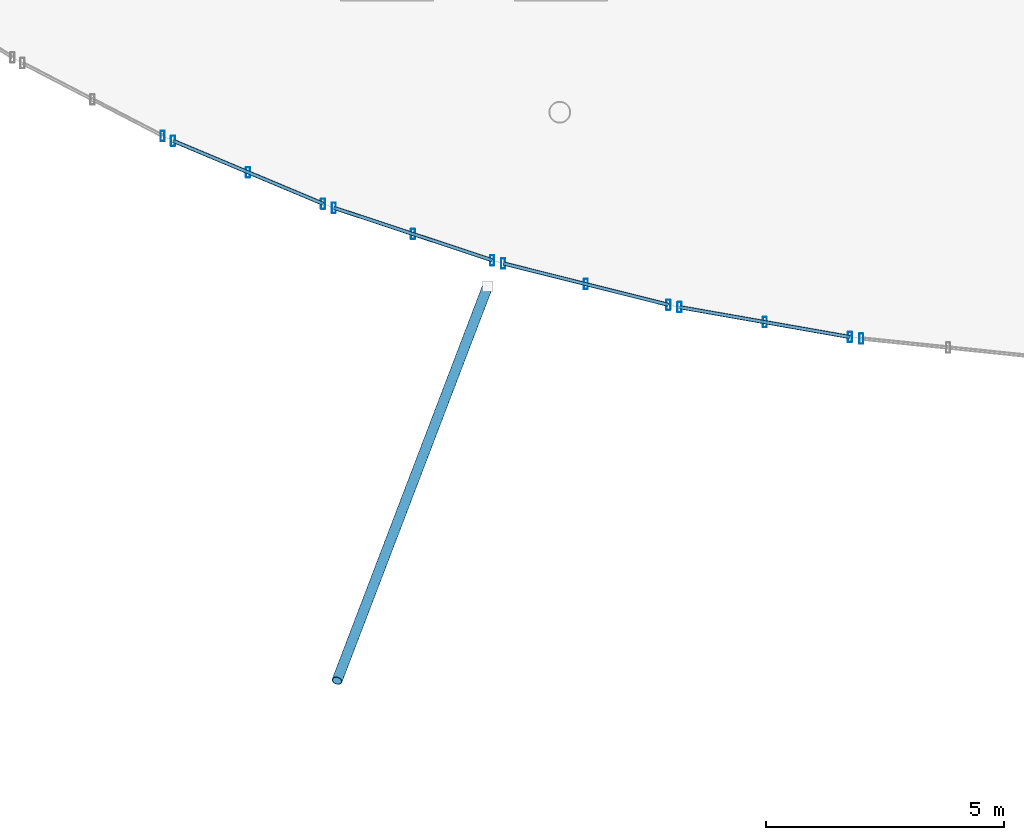
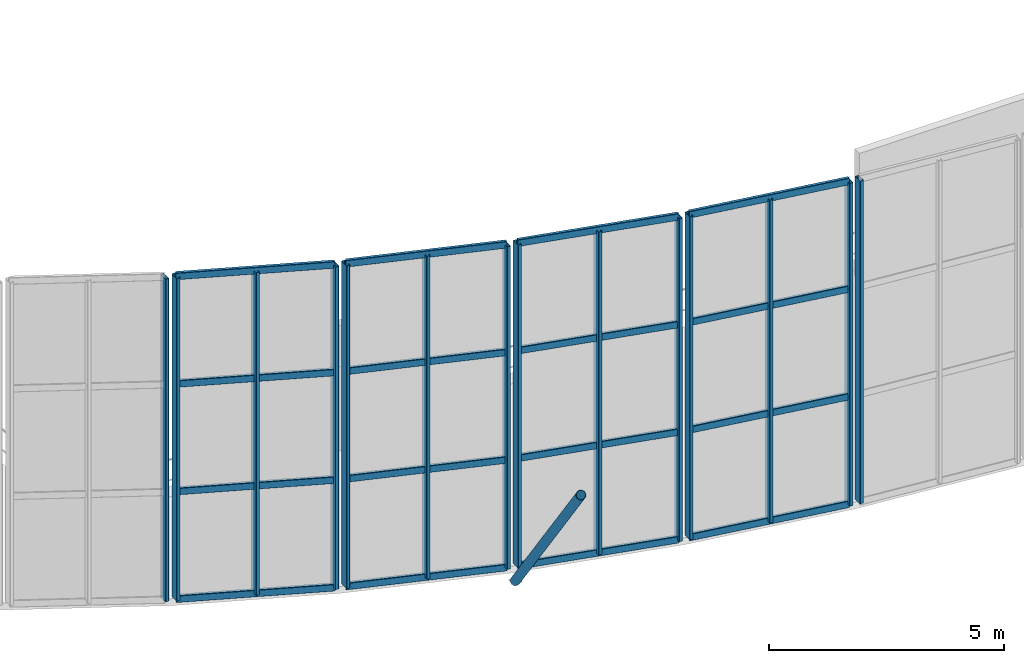
# One storey, part 21 of 109: 31 members, 6 elements without a shape of their own.
"""IFC4 building model written with IfcOpenShell, lengths in metres."""

from ifc_helpers import new_model, si_unit, derived_unit, direction, frame, origin, origin_2d, place, context, subcontext, project, spatial, hollow_rectangle, hollow_circle, extrude, material, material_profile, profile_set, type_object, element, aggregate, save


model = new_model("IFC4")

# Units and contexts
model_context = context("Model", 3, precision=1e-05, world=origin(), true_north=direction((0.0, 1.0)))
body_context = subcontext(model_context, "Body", "Model", "MODEL_VIEW")
ifc_project = project(units=[si_unit("LENGTHUNIT", "METRE"), si_unit("AREAUNIT", "SQUARE_METRE"), si_unit("VOLUMEUNIT", "CUBIC_METRE"), si_unit("PLANEANGLEUNIT", "RADIAN"), si_unit("MASSUNIT", "GRAM", prefix="KILO"), derived_unit("THERMALTRANSMITTANCEUNIT", [(si_unit("MASSUNIT", "GRAM", prefix="KILO"), 1), (si_unit("TIMEUNIT", "SECOND"), -3), (si_unit("THERMODYNAMICTEMPERATUREUNIT", "KELVIN"), -1)])], contexts=[model_context])

# Site, building, storey
site_placement = place(None, origin())
site = spatial("IfcSite", under=ifc_project, at=site_placement, CompositionType="ELEMENT")
building_placement = place(site_placement, origin())
building = spatial("IfcBuilding", under=site, at=building_placement, Name="Kharveza Railside Sports Centre", CompositionType="ELEMENT")
storey_placement = place(building_placement, frame((0.0, 0.0, 4.5)))
storey = spatial("IfcBuildingStorey", under=building, at=storey_placement, Name="L01", CompositionType="ELEMENT", Elevation=4.5)

# Curtain wall, member
ifc_material_1 = material(Name="Low-E solar-control laminated glass", Category="glass")
curtain_wall_type = type_object("IfcCurtainWallType", Name="CW-DR01", PredefinedType="NOTDEFINED", material=ifc_material_1)
curtain_wall_1_placement = place(storey_placement, origin())
curtain_wall_1 = element("IfcCurtainWall", 1, at=curtain_wall_1_placement, inside=storey, type_object=curtain_wall_type, Name="CW-DRUM-42", PredefinedType="NOTDEFINED")
ifc_material_2 = material(Name="Anodised aluminium 6063-T6", Category="aluminium")
ifc_material_profile_1 = material_profile(ifc_material_2, hollow_rectangle(XDim=0.090087890625, YDim=0.219970703125, WallThickness=0.008056640625, InnerFilletRadius=0.008056640625, OuterFilletRadius=0.01611328125, at=origin_2d()), Name="RHS 90x220x8.0")
ifc_profile_set_1 = profile_set([ifc_material_profile_1], Name="Anodised aluminium 6063-T6")
member_type_1 = type_object("IfcMemberType", Name="CW-ML01", PredefinedType="MULLION", material=ifc_profile_set_1)
member_1_placement = place(storey_placement, frame((32.270751953125, 27.174072265625, 0.0), z_axis=(0.0, 0.0, 1.0), x_axis=(1.0, 0.0, 0.0)))
member_1 = element("IfcMember", 2, at=member_1_placement, type_object=member_type_1, Name="CW-DRUM-42-ML3", PredefinedType="MULLION", context=body_context, shape_type="SweptSolid", body=[
    extrude(hollow_rectangle(XDim=0.090087890625, YDim=0.219970703125, WallThickness=0.008056640625, InnerFilletRadius=0.008056640625, OuterFilletRadius=0.01611328125, at=origin_2d()), origin(), (0.0, 0.0, 1.0), 8.39990234375),
])
aggregate(curtain_wall_1, [member_1])

# Curtain wall, members
curtain_wall_2_placement = place(storey_placement, origin())
curtain_wall_2 = element("IfcCurtainWall", 3, at=curtain_wall_2_placement, inside=storey, type_object=curtain_wall_type, Name="CW-DRUM-43", PredefinedType="NOTDEFINED")
member_2_placement = place(storey_placement, frame((32.48779296875, 27.072509765625, 0.0), z_axis=(0.0, 0.0, 1.0), x_axis=(1.0, 0.0, 0.0)))
member_2 = element("IfcMember", 4, at=member_2_placement, type_object=member_type_1, Name="CW-DRUM-43-ML1", PredefinedType="MULLION", context=body_context, shape_type="SweptSolid", body=[
    extrude(hollow_rectangle(XDim=0.090087890625, YDim=0.219970703125, WallThickness=0.008056640625, InnerFilletRadius=0.008056640625, OuterFilletRadius=0.01611328125, at=origin_2d()), origin(), (0.0, 0.0, 1.0), 8.39990234375),
])
member_3_placement = place(storey_placement, frame((34.060791015625, 26.41259765625, 0.0), z_axis=(0.0, 0.0, 1.0), x_axis=(1.0, 0.0, 0.0)))
member_3 = element("IfcMember", 5, at=member_3_placement, type_object=member_type_1, Name="CW-DRUM-43-ML2", PredefinedType="MULLION", context=body_context, shape_type="SweptSolid", body=[
    extrude(hollow_rectangle(XDim=0.090087890625, YDim=0.219970703125, WallThickness=0.008056640625, InnerFilletRadius=0.008056640625, OuterFilletRadius=0.01611328125, at=origin_2d()), origin(), (0.0, 0.0, 1.0), 8.39990234375),
])
member_4_placement = place(storey_placement, frame((35.633544921875, 25.752685546875, 0.0), z_axis=(0.0, 0.0, 1.0), x_axis=(1.0, 0.0, 0.0)))
member_4 = element("IfcMember", 6, at=member_4_placement, type_object=member_type_1, Name="CW-DRUM-43-ML3", PredefinedType="MULLION", context=body_context, shape_type="SweptSolid", body=[
    extrude(hollow_rectangle(XDim=0.090087890625, YDim=0.219970703125, WallThickness=0.008056640625, InnerFilletRadius=0.008056640625, OuterFilletRadius=0.01611328125, at=origin_2d()), origin(), (0.0, 0.0, 1.0), 8.39990234375),
])

curtain_wall_3_placement = place(storey_placement, origin())
curtain_wall_3 = element("IfcCurtainWall", 7, at=curtain_wall_3_placement, inside=storey, type_object=curtain_wall_type, Name="CW-DRUM-44", PredefinedType="NOTDEFINED")
member_5_placement = place(storey_placement, frame((35.85791015625, 25.66845703125, 0.0), z_axis=(0.0, 0.0, 1.0), x_axis=(1.0, 0.0, 0.0)))
member_5 = element("IfcMember", 8, at=member_5_placement, type_object=member_type_1, Name="CW-DRUM-44-ML1", PredefinedType="MULLION", context=body_context, shape_type="SweptSolid", body=[
    extrude(hollow_rectangle(XDim=0.090087890625, YDim=0.219970703125, WallThickness=0.008056640625, InnerFilletRadius=0.008056640625, OuterFilletRadius=0.01611328125, at=origin_2d()), origin(), (0.0, 0.0, 1.0), 8.39990234375),
])
member_6_placement = place(storey_placement, frame((37.518310546875, 25.118896484375, 0.0), z_axis=(0.0, 0.0, 1.0), x_axis=(1.0, 0.0, 0.0)))
member_6 = element("IfcMember", 9, at=member_6_placement, type_object=member_type_1, Name="CW-DRUM-44-ML2", PredefinedType="MULLION", context=body_context, shape_type="SweptSolid", body=[
    extrude(hollow_rectangle(XDim=0.090087890625, YDim=0.219970703125, WallThickness=0.008056640625, InnerFilletRadius=0.008056640625, OuterFilletRadius=0.01611328125, at=origin_2d()), origin(), (0.0, 0.0, 1.0), 8.39990234375),
])
member_7_placement = place(storey_placement, frame((39.1787109375, 24.569091796875, 0.0), z_axis=(0.0, 0.0, 1.0), x_axis=(1.0, 0.0, 0.0)))
member_7 = element("IfcMember", 10, at=member_7_placement, type_object=member_type_1, Name="CW-DRUM-44-ML3", PredefinedType="MULLION", context=body_context, shape_type="SweptSolid", body=[
    extrude(hollow_rectangle(XDim=0.090087890625, YDim=0.219970703125, WallThickness=0.008056640625, InnerFilletRadius=0.008056640625, OuterFilletRadius=0.01611328125, at=origin_2d()), origin(), (0.0, 0.0, 1.0), 8.39990234375),
])

curtain_wall_4_placement = place(storey_placement, origin())
curtain_wall_4 = element("IfcCurtainWall", 11, at=curtain_wall_4_placement, inside=storey, type_object=curtain_wall_type, Name="CW-DRUM-45", PredefinedType="NOTDEFINED")
member_8_placement = place(storey_placement, frame((39.4091796875, 24.502197265625, 0.0), z_axis=(0.0, 0.0, 1.0), x_axis=(1.0, 0.0, 0.0)))
member_8 = element("IfcMember", 12, at=member_8_placement, type_object=member_type_1, Name="CW-DRUM-45-ML1", PredefinedType="MULLION", context=body_context, shape_type="SweptSolid", body=[
    extrude(hollow_rectangle(XDim=0.090087890625, YDim=0.219970703125, WallThickness=0.008056640625, InnerFilletRadius=0.008056640625, OuterFilletRadius=0.01611328125, at=origin_2d()), origin(), (0.0, 0.0, 1.0), 8.39990234375),
])
member_9_placement = place(storey_placement, frame((41.140625, 24.068603515625, 0.0), z_axis=(0.0, 0.0, 1.0), x_axis=(1.0, 0.0, 0.0)))
member_9 = element("IfcMember", 13, at=member_9_placement, type_object=member_type_1, Name="CW-DRUM-45-ML2", PredefinedType="MULLION", context=body_context, shape_type="SweptSolid", body=[
    extrude(hollow_rectangle(XDim=0.090087890625, YDim=0.219970703125, WallThickness=0.008056640625, InnerFilletRadius=0.008056640625, OuterFilletRadius=0.01611328125, at=origin_2d()), origin(), (0.0, 0.0, 1.0), 8.39990234375),
])
member_10_placement = place(storey_placement, frame((42.872314453125, 23.634765625, 0.0), z_axis=(0.0, 0.0, 1.0), x_axis=(1.0, 0.0, 0.0)))
member_10 = element("IfcMember", 14, at=member_10_placement, type_object=member_type_1, Name="CW-DRUM-45-ML3", PredefinedType="MULLION", context=body_context, shape_type="SweptSolid", body=[
    extrude(hollow_rectangle(XDim=0.090087890625, YDim=0.219970703125, WallThickness=0.008056640625, InnerFilletRadius=0.008056640625, OuterFilletRadius=0.01611328125, at=origin_2d()), origin(), (0.0, 0.0, 1.0), 8.39990234375),
])

curtain_wall_5_placement = place(storey_placement, origin())
curtain_wall_5 = element("IfcCurtainWall", 15, at=curtain_wall_5_placement, inside=storey, type_object=curtain_wall_type, Name="CW-DRUM-46", PredefinedType="NOTDEFINED")
member_11_placement = place(storey_placement, frame((43.106689453125, 23.5849609375, 0.0), z_axis=(0.0, 0.0, 1.0), x_axis=(1.0, 0.0, 0.0)))
member_11 = element("IfcMember", 16, at=member_11_placement, type_object=member_type_1, Name="CW-DRUM-46-ML1", PredefinedType="MULLION", context=body_context, shape_type="SweptSolid", body=[
    extrude(hollow_rectangle(XDim=0.090087890625, YDim=0.219970703125, WallThickness=0.008056640625, InnerFilletRadius=0.008056640625, OuterFilletRadius=0.01611328125, at=origin_2d()), origin(), (0.0, 0.0, 1.0), 8.39990234375),
])
member_12_placement = place(storey_placement, frame((44.892578125, 23.271728515625, 0.0), z_axis=(0.0, 0.0, 1.0), x_axis=(1.0, 0.0, 0.0)))
member_12 = element("IfcMember", 17, at=member_12_placement, type_object=member_type_1, Name="CW-DRUM-46-ML2", PredefinedType="MULLION", context=body_context, shape_type="SweptSolid", body=[
    extrude(hollow_rectangle(XDim=0.090087890625, YDim=0.219970703125, WallThickness=0.008056640625, InnerFilletRadius=0.008056640625, OuterFilletRadius=0.01611328125, at=origin_2d()), origin(), (0.0, 0.0, 1.0), 8.39990234375),
])
member_13_placement = place(storey_placement, frame((46.67822265625, 22.958740234375, 0.0), z_axis=(0.0, 0.0, 1.0), x_axis=(1.0, 0.0, 0.0)))
member_13 = element("IfcMember", 18, at=member_13_placement, type_object=member_type_1, Name="CW-DRUM-46-ML3", PredefinedType="MULLION", context=body_context, shape_type="SweptSolid", body=[
    extrude(hollow_rectangle(XDim=0.090087890625, YDim=0.219970703125, WallThickness=0.008056640625, InnerFilletRadius=0.008056640625, OuterFilletRadius=0.01611328125, at=origin_2d()), origin(), (0.0, 0.0, 1.0), 8.39990234375),
])

# Curtain wall, member
curtain_wall_6_placement = place(storey_placement, origin())
curtain_wall_6 = element("IfcCurtainWall", 19, at=curtain_wall_6_placement, inside=storey, type_object=curtain_wall_type, Name="CW-DRUM-47", PredefinedType="NOTDEFINED")
member_14_placement = place(storey_placement, frame((46.915771484375, 22.925537109375, 0.0), z_axis=(0.0, 0.0, 1.0), x_axis=(1.0, 0.0, 0.0)))
member_14 = element("IfcMember", 20, at=member_14_placement, type_object=member_type_1, Name="CW-DRUM-47-ML1", PredefinedType="MULLION", context=body_context, shape_type="SweptSolid", body=[
    extrude(hollow_rectangle(XDim=0.090087890625, YDim=0.219970703125, WallThickness=0.008056640625, InnerFilletRadius=0.008056640625, OuterFilletRadius=0.01611328125, at=origin_2d()), origin(), (0.0, 0.0, 1.0), 8.39990234375),
])
aggregate(curtain_wall_6, [member_14])

# Member
ifc_material_profile_2 = material_profile(ifc_material_2, hollow_rectangle(XDim=0.080078125, YDim=0.179931640625, WallThickness=0.00634765625, InnerFilletRadius=0.00634765625, OuterFilletRadius=0.0126953125, at=origin_2d()), Name="RHS 80x180x6.3")
ifc_profile_set_2 = profile_set([ifc_material_profile_2], Name="Anodised aluminium 6063-T6")
member_type_2 = type_object("IfcMemberType", Name="CW-TR01", PredefinedType="USERDEFINED", material=ifc_profile_set_2)
member_15_placement = place(storey_placement, frame((32.48779296875, 27.072509765625, 0.0), z_axis=(0.922127678755, -0.386885698979, 0.0), x_axis=(0.386885698979, 0.922127678755, 0.0)))
member_15 = element("IfcMember", 21, at=member_15_placement, type_object=member_type_2, Name="CW-DRUM-43-TR1", ObjectType="TRANSOM", PredefinedType="USERDEFINED", context=body_context, shape_type="SweptSolid", body=[
    extrude(hollow_rectangle(XDim=0.080078125, YDim=0.179931640625, WallThickness=0.00634765625, InnerFilletRadius=0.00634765625, OuterFilletRadius=0.0126953125, at=origin_2d()), origin(), (0.0, 0.0, 1.0), 3.411376953125),
])

member_16_placement = place(storey_placement, frame((32.48779296875, 27.072509765625, 2.800048828125), z_axis=(0.922127678755, -0.386885698979, 0.0), x_axis=(0.386885698979, 0.922127678755, 0.0)))
member_16 = element("IfcMember", 22, at=member_16_placement, type_object=member_type_2, Name="CW-DRUM-43-TR2", ObjectType="TRANSOM", PredefinedType="USERDEFINED", context=body_context, shape_type="SweptSolid", body=[
    extrude(hollow_rectangle(XDim=0.080078125, YDim=0.179931640625, WallThickness=0.00634765625, InnerFilletRadius=0.00634765625, OuterFilletRadius=0.0126953125, at=origin_2d()), origin(), (0.0, 0.0, 1.0), 3.411376953125),
])

member_17_placement = place(storey_placement, frame((32.48779296875, 27.072509765625, 5.60009765625), z_axis=(0.922127678755, -0.386885698979, 0.0), x_axis=(0.386885698979, 0.922127678755, 0.0)))
member_17 = element("IfcMember", 23, at=member_17_placement, type_object=member_type_2, Name="CW-DRUM-43-TR3", ObjectType="TRANSOM", PredefinedType="USERDEFINED", context=body_context, shape_type="SweptSolid", body=[
    extrude(hollow_rectangle(XDim=0.080078125, YDim=0.179931640625, WallThickness=0.00634765625, InnerFilletRadius=0.00634765625, OuterFilletRadius=0.0126953125, at=origin_2d()), origin(), (0.0, 0.0, 1.0), 3.411376953125),
])

member_18_placement = place(storey_placement, frame((32.48779296875, 27.072509765625, 8.39990234375), z_axis=(0.922127678755, -0.386885698979, 0.0), x_axis=(0.386885698979, 0.922127678755, 0.0)))
member_18 = element("IfcMember", 24, at=member_18_placement, type_object=member_type_2, Name="CW-DRUM-43-TR4", ObjectType="TRANSOM", PredefinedType="USERDEFINED", context=body_context, shape_type="SweptSolid", body=[
    extrude(hollow_rectangle(XDim=0.080078125, YDim=0.179931640625, WallThickness=0.00634765625, InnerFilletRadius=0.00634765625, OuterFilletRadius=0.0126953125, at=origin_2d()), origin(), (0.0, 0.0, 1.0), 3.411376953125),
])

aggregate(curtain_wall_2, [member_2, member_3, member_4, member_15, member_16, member_17, member_18])

member_19_placement = place(storey_placement, frame((35.85791015625, 25.66845703125, 0.0), z_axis=(0.949330378628, -0.314279862885, 0.0), x_axis=(0.314279862885, 0.949330378628, 0.0)))
member_19 = element("IfcMember", 25, at=member_19_placement, type_object=member_type_2, Name="CW-DRUM-44-TR1", ObjectType="TRANSOM", PredefinedType="USERDEFINED", context=body_context, shape_type="SweptSolid", body=[
    extrude(hollow_rectangle(XDim=0.080078125, YDim=0.179931640625, WallThickness=0.00634765625, InnerFilletRadius=0.00634765625, OuterFilletRadius=0.0126953125, at=origin_2d()), origin(), (0.0, 0.0, 1.0), 3.498046875),
])

member_20_placement = place(storey_placement, frame((35.85791015625, 25.66845703125, 2.800048828125), z_axis=(0.949330378628, -0.314279862885, 0.0), x_axis=(0.314279862885, 0.949330378628, 0.0)))
member_20 = element("IfcMember", 26, at=member_20_placement, type_object=member_type_2, Name="CW-DRUM-44-TR2", ObjectType="TRANSOM", PredefinedType="USERDEFINED", context=body_context, shape_type="SweptSolid", body=[
    extrude(hollow_rectangle(XDim=0.080078125, YDim=0.179931640625, WallThickness=0.00634765625, InnerFilletRadius=0.00634765625, OuterFilletRadius=0.0126953125, at=origin_2d()), origin(), (0.0, 0.0, 1.0), 3.498046875),
])

member_21_placement = place(storey_placement, frame((35.85791015625, 25.66845703125, 5.60009765625), z_axis=(0.949330378628, -0.314279862885, 0.0), x_axis=(0.314279862885, 0.949330378628, 0.0)))
member_21 = element("IfcMember", 27, at=member_21_placement, type_object=member_type_2, Name="CW-DRUM-44-TR3", ObjectType="TRANSOM", PredefinedType="USERDEFINED", context=body_context, shape_type="SweptSolid", body=[
    extrude(hollow_rectangle(XDim=0.080078125, YDim=0.179931640625, WallThickness=0.00634765625, InnerFilletRadius=0.00634765625, OuterFilletRadius=0.0126953125, at=origin_2d()), origin(), (0.0, 0.0, 1.0), 3.498046875),
])

member_22_placement = place(storey_placement, frame((35.85791015625, 25.66845703125, 8.39990234375), z_axis=(0.949330378628, -0.314279862885, 0.0), x_axis=(0.314279862885, 0.949330378628, 0.0)))
member_22 = element("IfcMember", 28, at=member_22_placement, type_object=member_type_2, Name="CW-DRUM-44-TR4", ObjectType="TRANSOM", PredefinedType="USERDEFINED", context=body_context, shape_type="SweptSolid", body=[
    extrude(hollow_rectangle(XDim=0.080078125, YDim=0.179931640625, WallThickness=0.00634765625, InnerFilletRadius=0.00634765625, OuterFilletRadius=0.0126953125, at=origin_2d()), origin(), (0.0, 0.0, 1.0), 3.498046875),
])

aggregate(curtain_wall_3, [member_5, member_6, member_7, member_19, member_20, member_21, member_22])

member_23_placement = place(storey_placement, frame((39.4091796875, 24.502197265625, 0.0), z_axis=(0.970033792232, -0.242970043271, 0.0), x_axis=(0.242970043271, 0.970033792232, 0.0)))
member_23 = element("IfcMember", 29, at=member_23_placement, type_object=member_type_2, Name="CW-DRUM-45-TR1", ObjectType="TRANSOM", PredefinedType="USERDEFINED", context=body_context, shape_type="SweptSolid", body=[
    extrude(hollow_rectangle(XDim=0.080078125, YDim=0.179931640625, WallThickness=0.00634765625, InnerFilletRadius=0.00634765625, OuterFilletRadius=0.0126953125, at=origin_2d()), origin(), (0.0, 0.0, 1.0), 3.570068359375),
])

member_24_placement = place(storey_placement, frame((39.4091796875, 24.502197265625, 2.800048828125), z_axis=(0.970033792232, -0.242970043271, 0.0), x_axis=(0.242970043271, 0.970033792232, 0.0)))
member_24 = element("IfcMember", 30, at=member_24_placement, type_object=member_type_2, Name="CW-DRUM-45-TR2", ObjectType="TRANSOM", PredefinedType="USERDEFINED", context=body_context, shape_type="SweptSolid", body=[
    extrude(hollow_rectangle(XDim=0.080078125, YDim=0.179931640625, WallThickness=0.00634765625, InnerFilletRadius=0.00634765625, OuterFilletRadius=0.0126953125, at=origin_2d()), origin(), (0.0, 0.0, 1.0), 3.570068359375),
])

member_25_placement = place(storey_placement, frame((39.4091796875, 24.502197265625, 5.60009765625), z_axis=(0.970033792232, -0.242970043271, 0.0), x_axis=(0.242970043271, 0.970033792232, 0.0)))
member_25 = element("IfcMember", 31, at=member_25_placement, type_object=member_type_2, Name="CW-DRUM-45-TR3", ObjectType="TRANSOM", PredefinedType="USERDEFINED", context=body_context, shape_type="SweptSolid", body=[
    extrude(hollow_rectangle(XDim=0.080078125, YDim=0.179931640625, WallThickness=0.00634765625, InnerFilletRadius=0.00634765625, OuterFilletRadius=0.0126953125, at=origin_2d()), origin(), (0.0, 0.0, 1.0), 3.570068359375),
])

member_26_placement = place(storey_placement, frame((39.4091796875, 24.502197265625, 8.39990234375), z_axis=(0.970033792232, -0.242970043271, 0.0), x_axis=(0.242970043271, 0.970033792232, 0.0)))
member_26 = element("IfcMember", 32, at=member_26_placement, type_object=member_type_2, Name="CW-DRUM-45-TR4", ObjectType="TRANSOM", PredefinedType="USERDEFINED", context=body_context, shape_type="SweptSolid", body=[
    extrude(hollow_rectangle(XDim=0.080078125, YDim=0.179931640625, WallThickness=0.00634765625, InnerFilletRadius=0.00634765625, OuterFilletRadius=0.0126953125, at=origin_2d()), origin(), (0.0, 0.0, 1.0), 3.570068359375),
])

aggregate(curtain_wall_4, [member_8, member_9, member_10, member_23, member_24, member_25, member_26])

member_27_placement = place(storey_placement, frame((43.106689453125, 23.5849609375, 0.0), z_axis=(0.984974108724, -0.172702070468, 0.0), x_axis=(0.172702070468, 0.984974108724, 0.0)))
member_27 = element("IfcMember", 33, at=member_27_placement, type_object=member_type_2, Name="CW-DRUM-46-TR1", ObjectType="TRANSOM", PredefinedType="USERDEFINED", context=body_context, shape_type="SweptSolid", body=[
    extrude(hollow_rectangle(XDim=0.080078125, YDim=0.179931640625, WallThickness=0.00634765625, InnerFilletRadius=0.00634765625, OuterFilletRadius=0.0126953125, at=origin_2d()), origin(), (0.0, 0.0, 1.0), 3.6259765625),
])

member_28_placement = place(storey_placement, frame((43.106689453125, 23.5849609375, 2.800048828125), z_axis=(0.984974108724, -0.172702070468, 0.0), x_axis=(0.172702070468, 0.984974108724, 0.0)))
member_28 = element("IfcMember", 34, at=member_28_placement, type_object=member_type_2, Name="CW-DRUM-46-TR2", ObjectType="TRANSOM", PredefinedType="USERDEFINED", context=body_context, shape_type="SweptSolid", body=[
    extrude(hollow_rectangle(XDim=0.080078125, YDim=0.179931640625, WallThickness=0.00634765625, InnerFilletRadius=0.00634765625, OuterFilletRadius=0.0126953125, at=origin_2d()), origin(), (0.0, 0.0, 1.0), 3.6259765625),
])

member_29_placement = place(storey_placement, frame((43.106689453125, 23.5849609375, 5.60009765625), z_axis=(0.984974108724, -0.172702070468, 0.0), x_axis=(0.172702070468, 0.984974108724, 0.0)))
member_29 = element("IfcMember", 35, at=member_29_placement, type_object=member_type_2, Name="CW-DRUM-46-TR3", ObjectType="TRANSOM", PredefinedType="USERDEFINED", context=body_context, shape_type="SweptSolid", body=[
    extrude(hollow_rectangle(XDim=0.080078125, YDim=0.179931640625, WallThickness=0.00634765625, InnerFilletRadius=0.00634765625, OuterFilletRadius=0.0126953125, at=origin_2d()), origin(), (0.0, 0.0, 1.0), 3.6259765625),
])

member_30_placement = place(storey_placement, frame((43.106689453125, 23.5849609375, 8.39990234375), z_axis=(0.984974108724, -0.172702070468, 0.0), x_axis=(0.172702070468, 0.984974108724, 0.0)))
member_30 = element("IfcMember", 36, at=member_30_placement, type_object=member_type_2, Name="CW-DRUM-46-TR4", ObjectType="TRANSOM", PredefinedType="USERDEFINED", context=body_context, shape_type="SweptSolid", body=[
    extrude(hollow_rectangle(XDim=0.080078125, YDim=0.179931640625, WallThickness=0.00634765625, InnerFilletRadius=0.00634765625, OuterFilletRadius=0.0126953125, at=origin_2d()), origin(), (0.0, 0.0, 1.0), 3.6259765625),
])

aggregate(curtain_wall_5, [member_11, member_12, member_13, member_27, member_28, member_29, member_30])

ifc_material_3 = material(Name="Steel S355J2", Category="steel")
ifc_material_profile_3 = material_profile(ifc_material_3, hollow_circle(Radius=0.109619140625, WallThickness=0.012451171875, at=origin_2d()), Name="CHS 219.1x12.5")
ifc_profile_set_3 = profile_set([ifc_material_profile_3], Name="Steel S355J2")
member_type_3 = type_object("IfcMemberType", Name="MB-ST01", PredefinedType="STRUT", material=ifc_profile_set_3)
member_31_placement = place(storey_placement, frame((39.082275390625, 24.023193359375, 0.0), z_axis=(-0.259465239604, -0.679541308393, 0.686222558377), x_axis=(0.934216547815, -0.356706380358, 0.0)))
element("IfcMember", 37, at=member_31_placement, inside=storey, type_object=member_type_3, Name="MB-RAKER-LID-12", PredefinedType="STRUT", context=body_context, shape_type="SweptSolid", body=[
    extrude(hollow_circle(Radius=0.109619140625, WallThickness=0.012451171875, at=origin_2d()), origin(), (0.0, 0.0, 1.0), 12.168212890625),
])

save(model, "model.ifc")
